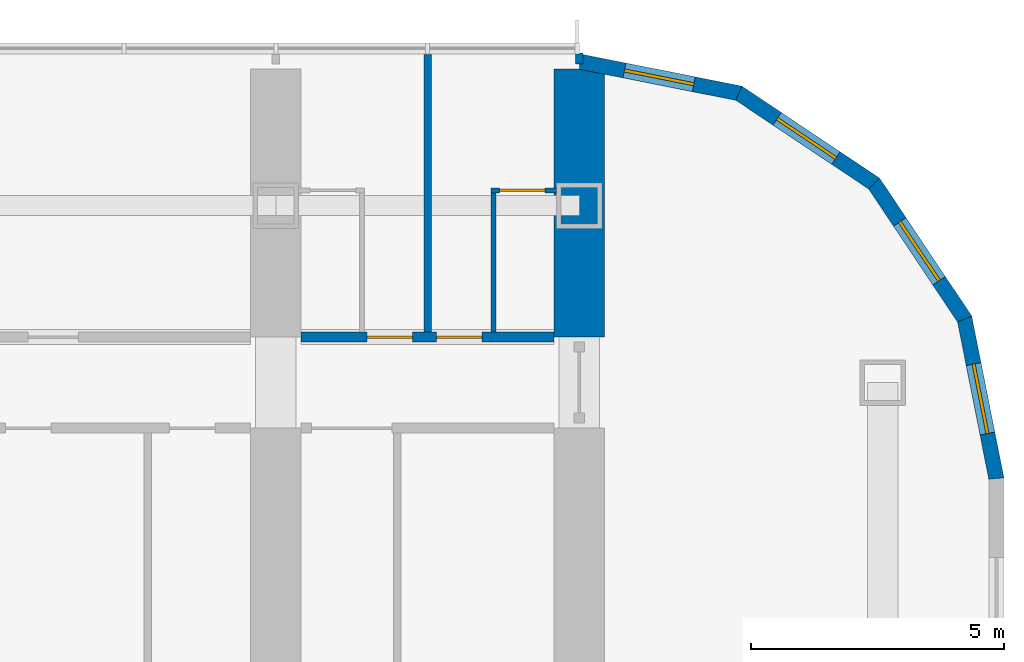
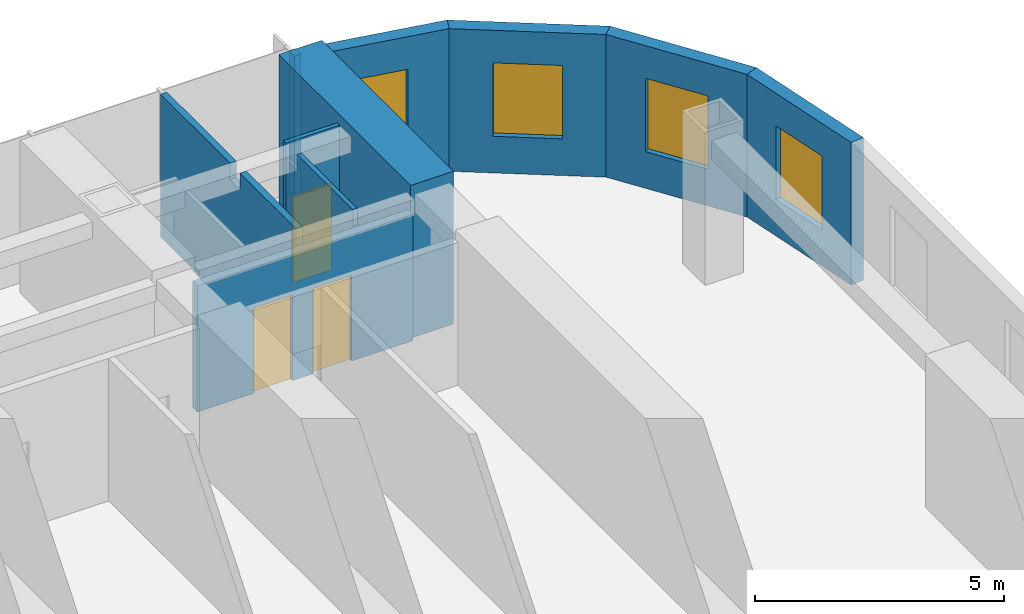
# One storey, part 18 of 23: 10 walls, 4 windows, 3 doors, 7 openings.
"""IFC4 building model written with IfcOpenShell, lengths in metres."""

from ifc_helpers import new_model, si_unit, direction, frame, frame_2d, origin, place, context, subcontext, project, spatial, polyline, rectangle, outline, extrude, material, layer, layer_set, type_object, element, fill, save


model = new_model("IFC4")

# Units and contexts
model_context = context("Model", 3, precision=1e-05, world=origin(), true_north=direction((0.0, 1.0)))
body_context = subcontext(model_context, "Body", "Model", "MODEL_VIEW")
ifc_project = project(units=[si_unit("LENGTHUNIT", "METRE"), si_unit("AREAUNIT", "SQUARE_METRE"), si_unit("VOLUMEUNIT", "CUBIC_METRE"), si_unit("PLANEANGLEUNIT", "RADIAN"), si_unit("MASSUNIT", "GRAM", prefix="KILO")], contexts=[model_context])

# Site, building, storey
site_placement = place(None, origin())
site = spatial("IfcSite", under=ifc_project, at=site_placement, CompositionType="ELEMENT")
building_placement = place(site_placement, origin())
building = spatial("IfcBuilding", under=site, at=building_placement, Name="Orbita Commons", CompositionType="ELEMENT")
storey_placement = place(building_placement, frame((0.0, 0.0, 46.449951171875)))
storey = spatial("IfcBuildingStorey", under=building, at=storey_placement, Name="L11", CompositionType="ELEMENT", Elevation=46.449951171875)

# Wall, openings, doors
ifc_material_1 = material(Name="Concrete blockwork", Category="masonry")
ifc_layer_1 = layer(ifc_material_1, 0.199951171875)
ifc_layer_set_1 = layer_set([ifc_layer_1], Name="Concrete blockwork")
wall_type_1 = type_object("IfcWallType", Name="Corridor wall 200 blockwork", PredefinedType="SOLIDWALL", material=ifc_layer_set_1)
wall_1_placement = place(storey_placement, frame((66.5, 51.0, 0.0), z_axis=(0.0, 0.0, 1.0), x_axis=(1.0, 0.0, 0.0)))
wall_1 = element("IfcWall", 1, at=wall_1_placement, inside=storey, type_object=wall_type_1, Name="Corridor wall 200 blockwork L11", PredefinedType="SOLIDWALL", context=body_context, shape_type="SweptSolid", body=[
    extrude(outline(polyline([(0.0, 0.0), (5.0, 0.0), (5.0, 3.10009765625), (0.0, 3.10009765625), (0.0, 0.0)])), frame((0.0, 0.10009765625, 0.0), z_axis=(0.0, -1.0, 0.0), x_axis=(1.0, 0.0, 0.0)), (0.0, 0.0, 1.0), 0.199951171875),
])
opening_1_placement = place(wall_1_placement, frame((1.300048828125, 0.0, 0.0)))
opening_1 = element("IfcOpeningElement", 2, at=opening_1_placement, cuts=wall_1, Name="Opening D11", PredefinedType="OPENING", context=body_context, shape_type="SweptSolid", body=[
    extrude(rectangle(XDim=0.89990234375, YDim=2.10009765625, at=frame_2d((0.449951171875, 1.050048828125))), frame((0.0, 0.10986328125, 0.0), z_axis=(0.0, -1.0, 0.0), x_axis=(1.0, 0.0, 0.0)), (0.0, 0.0, 1.0), 0.219970703125),
])
opening_2_placement = place(wall_1_placement, frame((2.675048828125, 0.0, 0.0)))
opening_2 = element("IfcOpeningElement", 3, at=opening_2_placement, cuts=wall_1, Name="Opening D11", PredefinedType="OPENING", context=body_context, shape_type="SweptSolid", body=[
    extrude(rectangle(XDim=0.89990234375, YDim=2.10009765625, at=frame_2d((0.449951171875, 1.050048828125))), frame((0.0, 0.10986328125, 0.0), z_axis=(0.0, -1.0, 0.0), x_axis=(1.0, 0.0, 0.0)), (0.0, 0.0, 1.0), 0.219970703125),
])
ifc_material_2 = material(Name="Steel-faced fire door leaf", Category="steel")
door_type_1 = type_object("IfcDoorType", Name="Corridor door 20 min 900x2100", OperationType="SINGLE_SWING_LEFT", PredefinedType="DOOR", material=ifc_material_2)
door_1_placement = place(opening_1_placement, origin())
door_1 = element("IfcDoor", 4, at=door_1_placement, inside=storey, type_object=door_type_1, Name="House bedroom L11-N18 door", OperationType="SINGLE_SWING_LEFT", OverallHeight=2.10009765625, OverallWidth=0.89990234375, PredefinedType="DOOR", context=body_context, shape_type="SweptSolid", body=[
    extrude(rectangle(XDim=0.89990234375, YDim=2.10009765625, at=frame_2d((0.449951171875, 1.050048828125))), frame((0.0, 0.02490234375, 0.0), z_axis=(0.0, -1.0, 0.0), x_axis=(1.0, 0.0, 0.0)), (0.0, 0.0, 1.0), 0.050048828125),
])
fill(opening_1, door_1)
door_2_placement = place(opening_2_placement, origin())
door_2 = element("IfcDoor", 5, at=door_2_placement, inside=storey, type_object=door_type_1, Name="House bedroom L11-N19 door", OperationType="SINGLE_SWING_LEFT", OverallHeight=2.10009765625, OverallWidth=0.89990234375, PredefinedType="DOOR", context=body_context, shape_type="SweptSolid", body=[
    extrude(rectangle(XDim=0.89990234375, YDim=2.10009765625, at=frame_2d((0.449951171875, 1.050048828125))), frame((0.0, 0.02490234375, 0.0), z_axis=(0.0, -1.0, 0.0), x_axis=(1.0, 0.0, 0.0)), (0.0, 0.0, 1.0), 0.050048828125),
])
fill(opening_2, door_2)

# Wall
ifc_material_3 = material(Name="Concrete C50/60", Category="concrete")
ifc_layer_2 = layer(ifc_material_3, 1.0)
ifc_layer_set_2 = layer_set([ifc_layer_2], Name="Concrete C50/60")
wall_type_2 = type_object("IfcWallType", Name="Cross wall 1000 C50/60", PredefinedType="SHEAR", material=ifc_layer_set_2)
wall_2_placement = place(storey_placement, frame((72.0, 51.0, 0.0), z_axis=(0.0, 0.0, 1.0), x_axis=(0.0, 1.0, 0.0)))
element("IfcWall", 6, at=wall_2_placement, inside=storey, type_object=wall_type_2, Name="Cross wall 13 north outer L11", PredefinedType="SHEAR", context=body_context, shape_type="SweptSolid", body=[
    extrude(rectangle(XDim=5.300048828125, YDim=1.0, at=frame_2d((2.64990234375, 0.0))), origin(), (0.0, 0.0, 1.0), 3.75),
])

# Wall, opening, door
ifc_material_4 = material(Name="Moisture-resistant plasterboard on steel studs", Category="steel")
ifc_layer_3 = layer(ifc_material_4, 0.10009765625)
ifc_layer_set_3 = layer_set([ifc_layer_3], Name="Moisture-resistant plasterboard on steel studs")
wall_type_3 = type_object("IfcWallType", Name="En-suite partition 100", PredefinedType="PARTITIONING", material=ifc_layer_set_3)
wall_3_placement = place(storey_placement, frame((70.25, 53.89990234375, 0.0), z_axis=(0.0, 0.0, 1.0), x_axis=(1.0, 0.0, 0.0)))
wall_3 = element("IfcWall", 7, at=wall_3_placement, inside=storey, type_object=wall_type_3, Name="En-suite partition 100 L11", PredefinedType="PARTITIONING", context=body_context, shape_type="SweptSolid", body=[
    extrude(rectangle(XDim=1.300048828125, YDim=0.10009765625, at=frame_2d((0.64990234375, 0.0))), origin(), (0.0, 0.0, 1.0), 3.5),
])
opening_3_placement = place(wall_3_placement, frame((0.175048828125, 0.0, 0.0)))
opening_3 = element("IfcOpeningElement", 8, at=opening_3_placement, cuts=wall_3, Name="Opening D09", PredefinedType="OPENING", context=body_context, shape_type="SweptSolid", body=[
    extrude(rectangle(XDim=0.89990234375, YDim=2.10009765625, at=frame_2d((0.449951171875, 1.050048828125))), frame((0.0, 0.06005859375, 0.0), z_axis=(0.0, -1.0, 0.0), x_axis=(1.0, 0.0, 0.0)), (0.0, 0.0, 1.0), 0.1201171875),
])
ifc_material_5 = material(Name="Laminated timber door leaf", Category="wood")
door_type_2 = type_object("IfcDoorType", Name="En-suite door 900x2100", OperationType="SINGLE_SWING_RIGHT", PredefinedType="DOOR", material=ifc_material_5)
door_3_placement = place(opening_3_placement, origin())
door_3 = element("IfcDoor", 9, at=door_3_placement, inside=storey, type_object=door_type_2, Name="En-suite L11-N19 door", OperationType="SINGLE_SWING_RIGHT", OverallHeight=2.10009765625, OverallWidth=0.89990234375, PredefinedType="DOOR", context=body_context, shape_type="SweptSolid", body=[
    extrude(rectangle(XDim=0.89990234375, YDim=2.10009765625, at=frame_2d((0.449951171875, 1.050048828125))), frame((0.0, 0.02490234375, 0.0), z_axis=(0.0, -1.0, 0.0), x_axis=(1.0, 0.0, 0.0)), (0.0, 0.0, 1.0), 0.050048828125),
])
fill(opening_3, door_3)

# Walls
wall_4_placement = place(storey_placement, frame((70.300048828125, 53.85009765625, 0.0), z_axis=(0.0, 0.0, 1.0), x_axis=(0.0, -1.0, 0.0)))
element("IfcWall", 10, at=wall_4_placement, inside=storey, type_object=wall_type_3, Name="En-suite partition 100 L11", PredefinedType="PARTITIONING", context=body_context, shape_type="SweptSolid", body=[
    extrude(outline(polyline([(0.0, 0.0), (2.75, 0.0), (2.75, 3.10009765625), (2.701904296875, 3.10009765625), (2.699951171875, 3.5), (0.451904296875, 3.5), (0.449951171875, 3.10009765625), (0.0, 3.10009765625), (0.0, 0.0)])), frame((0.0, 0.050048828125, 0.0), z_axis=(0.0, -1.0, 0.0), x_axis=(1.0, 0.0, 0.0)), (0.0, 0.0, 1.0), 0.10009765625),
])
ifc_material_6 = material(Name="Gypsum plasterboard on steel studs", Category="steel")
ifc_layer_4 = layer(ifc_material_6, 0.14990234375)
ifc_layer_set_4 = layer_set([ifc_layer_4], Name="Gypsum plasterboard on steel studs")
wall_type_4 = type_object("IfcWallType", Name="Partition 150 plasterboard", PredefinedType="PARTITIONING", material=ifc_layer_set_4)
wall_5_placement = place(storey_placement, frame((72.0, 56.39990234375, 0.0), z_axis=(0.0, 0.0, 1.0), x_axis=(0.0, 1.0, 0.0)))
element("IfcWall", 11, at=wall_5_placement, inside=storey, type_object=wall_type_4, Name="Partition 150 plasterboard L11", PredefinedType="PARTITIONING", context=body_context, shape_type="SweptSolid", body=[
    extrude(rectangle(XDim=0.22021484375, YDim=0.14990234375, at=frame_2d((0.110107421875, 0.0))), origin(), (0.0, 0.0, 1.0), 3.5),
])
ifc_material_7 = material(Name="Gypsum plasterboard on steel studs", Category="steel")
ifc_layer_5 = layer(ifc_material_7, 0.14990234375)
ifc_layer_set_5 = layer_set([ifc_layer_5], Name="Gypsum plasterboard on steel studs")
wall_type_5 = type_object("IfcWallType", Name="Party wall 150 plasterboard", PredefinedType="PARTITIONING", material=ifc_layer_set_5)
wall_6_placement = place(storey_placement, frame((69.0, 56.590087890625, 0.0), z_axis=(0.0, 0.0, 1.0), x_axis=(0.0, -1.0, 0.0)))
element("IfcWall", 12, at=wall_6_placement, inside=storey, type_object=wall_type_5, Name="Party wall 150 plasterboard L11", PredefinedType="PARTITIONING", context=body_context, shape_type="SweptSolid", body=[
    extrude(outline(polyline([(0.0, 0.0), (5.489990234375, 0.0), (5.489990234375, 3.10009765625), (5.44189453125, 3.10009765625), (5.43994140625, 3.5), (3.19189453125, 3.5), (3.18994140625, 3.10009765625), (2.7919921875, 3.10009765625), (2.7900390625, 3.5), (0.0, 3.5), (0.0, 0.0)])), frame((0.0, 0.074951171875, 0.0), z_axis=(0.0, -1.0, 0.0), x_axis=(1.0, 0.0, 0.0)), (0.0, 0.0, 1.0), 0.14990234375),
])

# Wall, opening, window
ifc_material_8 = material(Name="Precast concrete C40/50, white board-marked finish", Category="concrete")
ifc_layer_6 = layer(ifc_material_8, 0.300048828125)
ifc_layer_set_6 = layer_set([ifc_layer_6], Name="Precast concrete C40/50, white board-marked finish")
wall_type_6 = type_object("IfcWallType", Name="Precast concrete end shield 300", PredefinedType="SOLIDWALL", material=ifc_layer_set_6)
wall_7_placement = place(storey_placement, frame((80.25, 48.199951171875, 0.0), z_axis=(0.0, 0.0, 1.0), x_axis=(-0.195065901187, 0.980790137692, 0.0)))
wall_7 = element("IfcWall", 13, at=wall_7_placement, inside=storey, type_object=wall_type_6, Name="End shield NE chord 1 L11", PredefinedType="SOLIDWALL", context=body_context, shape_type="SweptSolid", body=[
    extrude(outline(polyline([(-0.014892578125, -0.14990234375), (3.248779296875, -0.14990234375), (3.189208984375, 0.14990234375), (0.014892578125, 0.14990234375), (-0.014892578125, -0.14990234375)])), origin(), (0.0, 0.0, 1.0), 3.5),
])
opening_4_placement = place(wall_7_placement, frame((0.909423828125, 0.0, 0.89990234375)))
opening_4 = element("IfcOpeningElement", 14, at=opening_4_placement, cuts=wall_7, Name="Opening W02", PredefinedType="OPENING", context=body_context, shape_type="SweptSolid", body=[
    extrude(rectangle(XDim=1.39990234375, YDim=1.800048828125, at=frame_2d((0.699951171875, 0.89990234375))), frame((0.0, 0.159912109375, 0.0), z_axis=(0.0, -1.0, 0.0), x_axis=(1.0, 0.0, 0.0)), (0.0, 0.0, 1.0), 0.320068359375),
])
ifc_material_9 = material(Name="Aluminium frame, clear double glazing", Category="aluminium")
window_type = type_object("IfcWindowType", Name="Deep-set window 1400x1800", PartitioningType="SINGLE_PANEL", PredefinedType="WINDOW", material=ifc_material_9)
window_1_placement = place(opening_4_placement, origin())
window_1 = element("IfcWindow", 15, at=window_1_placement, inside=storey, type_object=window_type, Name="Window L11-NE0", OverallHeight=1.800048828125, OverallWidth=1.39990234375, PartitioningType="SINGLE_PANEL", PredefinedType="WINDOW", context=body_context, shape_type="SweptSolid", body=[
    extrude(rectangle(XDim=1.39990234375, YDim=1.800048828125, at=frame_2d((0.699951171875, 0.89990234375))), frame((0.0, 0.030029296875, 0.0), z_axis=(0.0, -1.0, 0.0), x_axis=(1.0, 0.0, 0.0)), (0.0, 0.0, 1.0), 0.06005859375),
])
fill(opening_4, window_1)

wall_8_placement = place(storey_placement, frame((79.6220703125, 51.357177734375, 0.0), z_axis=(0.0, 0.0, 1.0), x_axis=(-0.555609954424, 0.831443069936, 0.0)))
wall_8 = element("IfcWall", 16, at=wall_8_placement, inside=storey, type_object=wall_type_6, Name="End shield NE chord 2 L11", PredefinedType="SOLIDWALL", context=body_context, shape_type="SweptSolid", body=[
    extrude(outline(polyline([(-0.02978515625, -0.14990234375), (3.2490234375, -0.14990234375), (3.189453125, 0.14990234375), (0.02978515625, 0.14990234375), (-0.02978515625, -0.14990234375)])), origin(), (0.0, 0.0, 1.0), 3.5),
])
opening_5_placement = place(wall_8_placement, frame((0.909423828125, 0.0, 0.89990234375)))
opening_5 = element("IfcOpeningElement", 17, at=opening_5_placement, cuts=wall_8, Name="Opening W02", PredefinedType="OPENING", context=body_context, shape_type="SweptSolid", body=[
    extrude(rectangle(XDim=1.39990234375, YDim=1.800048828125, at=frame_2d((0.699951171875, 0.89990234375))), frame((0.0, 0.159912109375, 0.0), z_axis=(0.0, -1.0, 0.0), x_axis=(1.0, 0.0, 0.0)), (0.0, 0.0, 1.0), 0.320068359375),
])
window_2_placement = place(opening_5_placement, origin())
window_2 = element("IfcWindow", 18, at=window_2_placement, inside=storey, type_object=window_type, Name="Window L11-NE1", OverallHeight=1.800048828125, OverallWidth=1.39990234375, PartitioningType="SINGLE_PANEL", PredefinedType="WINDOW", context=body_context, shape_type="SweptSolid", body=[
    extrude(rectangle(XDim=1.39990234375, YDim=1.800048828125, at=frame_2d((0.699951171875, 0.89990234375))), frame((0.0, 0.030029296875, 0.0), z_axis=(0.0, -1.0, 0.0), x_axis=(1.0, 0.0, 0.0)), (0.0, 0.0, 1.0), 0.06005859375),
])
fill(opening_5, window_2)

wall_9_placement = place(storey_placement, frame((77.83349609375, 54.03369140625, 0.0), z_axis=(0.0, 0.0, 1.0), x_axis=(-0.831478105043, 0.555557522525, 0.0)))
wall_9 = element("IfcWall", 19, at=wall_9_placement, inside=storey, type_object=wall_type_6, Name="End shield NE chord 3 L11", PredefinedType="SOLIDWALL", context=body_context, shape_type="SweptSolid", body=[
    extrude(outline(polyline([(-0.02978515625, -0.14990234375), (3.248779296875, -0.14990234375), (3.189208984375, 0.14990234375), (0.02978515625, 0.14990234375), (-0.02978515625, -0.14990234375)])), origin(), (0.0, 0.0, 1.0), 3.5),
])
opening_6_placement = place(wall_9_placement, frame((0.909423828125, 0.0, 0.89990234375)))
opening_6 = element("IfcOpeningElement", 20, at=opening_6_placement, cuts=wall_9, Name="Opening W02", PredefinedType="OPENING", context=body_context, shape_type="SweptSolid", body=[
    extrude(rectangle(XDim=1.39990234375, YDim=1.800048828125, at=frame_2d((0.699951171875, 0.89990234375))), frame((0.0, 0.159912109375, 0.0), z_axis=(0.0, -1.0, 0.0), x_axis=(1.0, 0.0, 0.0)), (0.0, 0.0, 1.0), 0.320068359375),
])
window_3_placement = place(opening_6_placement, origin())
window_3 = element("IfcWindow", 21, at=window_3_placement, inside=storey, type_object=window_type, Name="Window L11-NE2", OverallHeight=1.800048828125, OverallWidth=1.39990234375, PartitioningType="SINGLE_PANEL", PredefinedType="WINDOW", context=body_context, shape_type="SweptSolid", body=[
    extrude(rectangle(XDim=1.39990234375, YDim=1.800048828125, at=frame_2d((0.699951171875, 0.89990234375))), frame((0.0, 0.030029296875, 0.0), z_axis=(0.0, -1.0, 0.0), x_axis=(1.0, 0.0, 0.0)), (0.0, 0.0, 1.0), 0.06005859375),
])
fill(opening_6, window_3)

wall_10_placement = place(storey_placement, frame((75.156982421875, 55.822021484375, 0.0), z_axis=(0.0, 0.0, 1.0), x_axis=(-0.980787251524, 0.195080412259, 0.0)))
wall_10 = element("IfcWall", 22, at=wall_10_placement, inside=storey, type_object=wall_type_6, Name="End shield NE chord 4 L11", PredefinedType="SOLIDWALL", context=body_context, shape_type="SweptSolid", body=[
    extrude(outline(polyline([(-0.02978515625, -0.14990234375), (3.24853515625, -0.14990234375), (3.18896484375, 0.14990234375), (0.02978515625, 0.14990234375), (-0.02978515625, -0.14990234375)])), origin(), (0.0, 0.0, 1.0), 3.5),
])
opening_7_placement = place(wall_10_placement, frame((0.909423828125, 0.0, 0.89990234375)))
opening_7 = element("IfcOpeningElement", 23, at=opening_7_placement, cuts=wall_10, Name="Opening W02", PredefinedType="OPENING", context=body_context, shape_type="SweptSolid", body=[
    extrude(rectangle(XDim=1.39990234375, YDim=1.800048828125, at=frame_2d((0.699951171875, 0.89990234375))), frame((0.0, 0.159912109375, 0.0), z_axis=(0.0, -1.0, 0.0), x_axis=(1.0, 0.0, 0.0)), (0.0, 0.0, 1.0), 0.320068359375),
])
window_4_placement = place(opening_7_placement, origin())
window_4 = element("IfcWindow", 24, at=window_4_placement, inside=storey, type_object=window_type, Name="Window L11-NE3", OverallHeight=1.800048828125, OverallWidth=1.39990234375, PartitioningType="SINGLE_PANEL", PredefinedType="WINDOW", context=body_context, shape_type="SweptSolid", body=[
    extrude(rectangle(XDim=1.39990234375, YDim=1.800048828125, at=frame_2d((0.699951171875, 0.89990234375))), frame((0.0, 0.030029296875, 0.0), z_axis=(0.0, -1.0, 0.0), x_axis=(1.0, 0.0, 0.0)), (0.0, 0.0, 1.0), 0.06005859375),
])
fill(opening_7, window_4)

save(model, "model.ifc")
